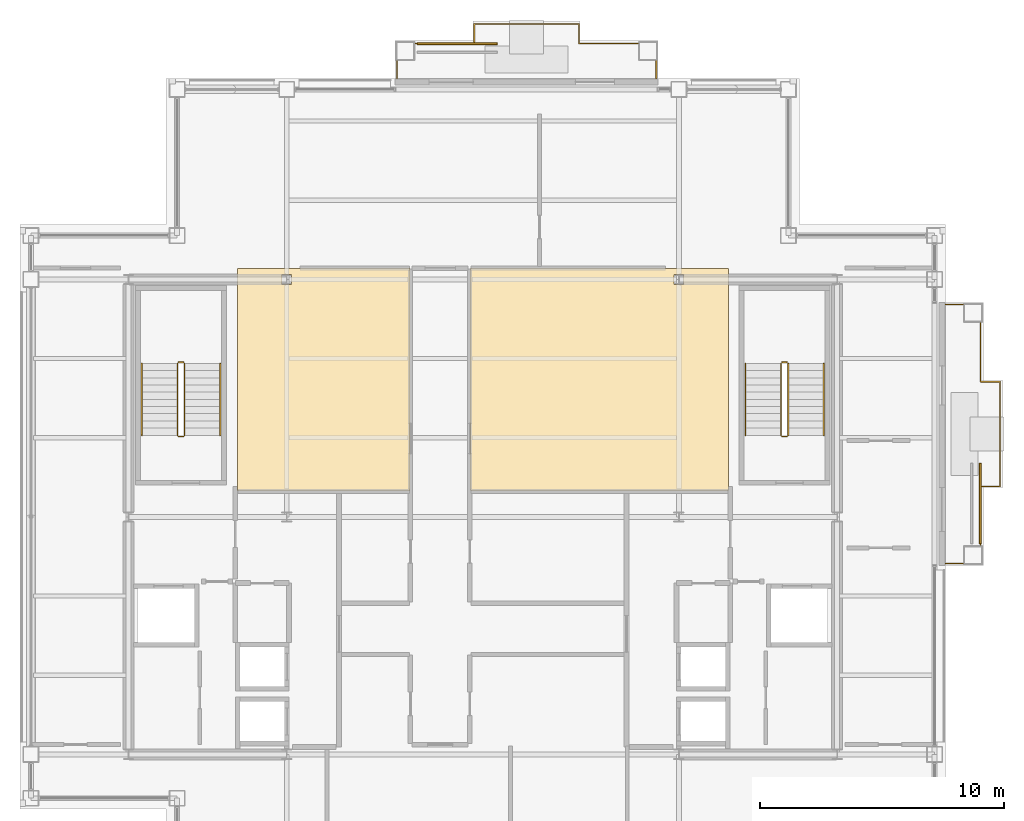
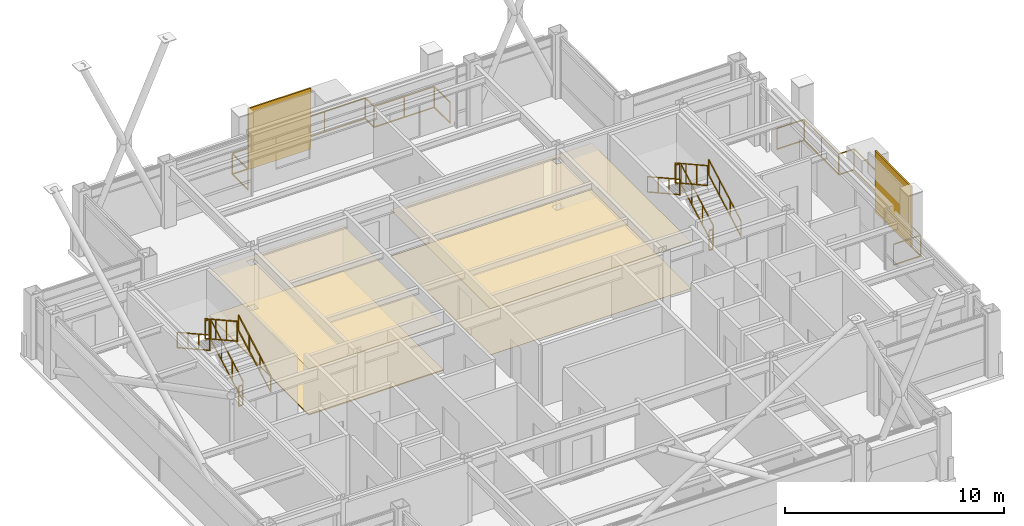
# One storey, part 29 of 30: 14 railings, 4 coverings, 2 shading devices.
"""IFC4 building model written with IfcOpenShell, lengths in metres."""

from ifc_helpers import new_model, si_unit, direction, frame, origin, origin_2d, place, context, subcontext, project, spatial, polyline, rectangle, outline, extrude, material, layer, layer_set, type_object, element, save


model = new_model("IFC4")

# Units and contexts
model_context = context("Model", 3, precision=1e-05, world=origin(), true_north=direction((0.0, 1.0)))
body_context = subcontext(model_context, "Body", "Model", "MODEL_VIEW")
ifc_project = project(units=[si_unit("LENGTHUNIT", "METRE"), si_unit("AREAUNIT", "SQUARE_METRE"), si_unit("VOLUMEUNIT", "CUBIC_METRE"), si_unit("PLANEANGLEUNIT", "RADIAN"), si_unit("MASSUNIT", "GRAM", prefix="KILO")], contexts=[model_context])

# Site, building, storey
site_placement = place(None, origin())
site = spatial("IfcSite", under=ifc_project, at=site_placement, CompositionType="ELEMENT")
building_placement = place(site_placement, origin())
building = spatial("IfcBuilding", under=site, at=building_placement, Name="Brelmoor Portico Tower", CompositionType="ELEMENT")
storey_placement = place(building_placement, frame((0.0, 0.0, 236.39990234375)))
storey = spatial("IfcBuildingStorey", under=building, at=storey_placement, Name="L62", CompositionType="ELEMENT", Elevation=236.39990234375)

# Coverings
ifc_material_1 = material(Name="Powder-Coated Aluminium Acoustic Baffle Ceiling", Category="aluminium")
ifc_layer_1 = layer(ifc_material_1, 0.044921875)
ifc_layer_set_1 = layer_set([ifc_layer_1], Name="Powder-Coated Aluminium Acoustic Baffle Ceiling")
covering_type_1 = type_object("IfcCoveringType", Name="CV-CEIL-BAFFLE-45", PredefinedType="CEILING", material=ifc_layer_set_1)
covering_1_placement = place(storey_placement, frame((0.0, 0.0, 2.550048828125)))
element("IfcCovering", 1, at=covering_1_placement, inside=storey, type_object=covering_type_1, Name="L62 Acoustic Suspended Ceiling 02", PredefinedType="CEILING", context=body_context, shape_type="SweptSolid", body=[
    extrude(outline(polyline([(-0.510009765625, 10.18994140625), (7.60009765625, 10.18994140625), (7.60009765625, 10.199951171875), (8.5, 10.199951171875), (8.5, 10.18994140625), (10.080078125, 10.18994140625), (10.080078125, 1.090087890625), (-0.510009765625, 1.090087890625), (-0.510009765625, 10.18994140625)]), holes=[polyline([(8.25, 9.550048828125), (8.25, 9.949951171875), (7.85009765625, 9.949951171875), (7.85009765625, 9.550048828125), (8.25, 9.550048828125)])]), origin(), (0.0, 0.0, 1.0), 0.045166015625),
])
ifc_material_2 = material(Name="Micro-Perforated Aluminium Clip-In Ceiling", Category="aluminium")
ifc_layer_2 = layer(ifc_material_2, 0.031982421875)
ifc_layer_set_2 = layer_set([ifc_layer_2], Name="Micro-Perforated Aluminium Clip-In Ceiling")
covering_type_2 = type_object("IfcCoveringType", Name="CV-CEIL-METAL-32", PredefinedType="CEILING", material=ifc_layer_set_2)
covering_2_placement = place(storey_placement, frame((0.0, 0.0, 2.550048828125)))
element("IfcCovering", 2, at=covering_2_placement, inside=storey, type_object=covering_type_2, Name="L62 Acoustic Suspended Ceiling 01", PredefinedType="CEILING", context=body_context, shape_type="SweptSolid", body=[
    extrude(outline(polyline([(-10.080078125, 10.18994140625), (-8.5, 10.18994140625), (-8.5, 10.199951171875), (-7.60009765625, 10.199951171875), (-7.60009765625, 10.18994140625), (-2.989990234375, 10.18994140625), (-2.989990234375, 1.090087890625), (-10.080078125, 1.090087890625), (-10.080078125, 10.18994140625)]), holes=[polyline([(-7.85009765625, 9.550048828125), (-7.85009765625, 9.949951171875), (-8.25, 9.949951171875), (-8.25, 9.550048828125), (-7.85009765625, 9.550048828125)])]), origin(), (0.0, 0.0, 1.0), 0.031982421875),
])
ifc_material_3 = material(Name="Calcium-Sulphate Raised Access Floor Panel", Category="steel")
ifc_layer_3 = layer(ifc_material_3, 0.06005859375)
ifc_layer_set_3 = layer_set([ifc_layer_3], Name="Calcium-Sulphate Raised Access Floor Panel")
covering_type_3 = type_object("IfcCoveringType", Name="CV-FLR-ACCESS-60", PredefinedType="FLOORING", material=ifc_layer_set_3)
covering_3_placement = place(storey_placement, origin())
element("IfcCovering", 3, at=covering_3_placement, inside=storey, type_object=covering_type_3, Name="L62 Architectural Floor Finish 01", PredefinedType="FLOORING", context=body_context, shape_type="SweptSolid", body=[
    extrude(outline(polyline([(-10.080078125, 10.18994140625), (-8.5, 10.18994140625), (-8.5, 10.199951171875), (-7.60009765625, 10.199951171875), (-7.60009765625, 10.18994140625), (-2.989990234375, 10.18994140625), (-2.989990234375, 1.090087890625), (-10.080078125, 1.090087890625), (-10.080078125, 10.18994140625)]), holes=[polyline([(-7.85009765625, 9.550048828125), (-7.85009765625, 9.949951171875), (-8.25, 9.949951171875), (-8.25, 9.550048828125), (-7.85009765625, 9.550048828125)])]), origin(), (0.0, 0.0, 1.0), 0.06005859375),
])
ifc_material_4 = material(Name="Solution-Dyed Nylon Acoustic Carpet Tile", Category="textile")
ifc_layer_4 = layer(ifc_material_4, 0.013916015625)
ifc_layer_set_4 = layer_set([ifc_layer_4], Name="Solution-Dyed Nylon Acoustic Carpet Tile")
covering_type_4 = type_object("IfcCoveringType", Name="CV-FLR-CARPET-14", PredefinedType="FLOORING", material=ifc_layer_set_4)
covering_4_placement = place(storey_placement, origin())
element("IfcCovering", 4, at=covering_4_placement, inside=storey, type_object=covering_type_4, Name="L62 Architectural Floor Finish 02", PredefinedType="FLOORING", context=body_context, shape_type="SweptSolid", body=[
    extrude(outline(polyline([(-0.510009765625, 10.18994140625), (7.60009765625, 10.18994140625), (7.60009765625, 10.199951171875), (8.5, 10.199951171875), (8.5, 10.18994140625), (10.080078125, 10.18994140625), (10.080078125, 1.090087890625), (-0.510009765625, 1.090087890625), (-0.510009765625, 10.18994140625)]), holes=[polyline([(8.25, 9.550048828125), (8.25, 9.949951171875), (7.85009765625, 9.949951171875), (7.85009765625, 9.550048828125), (8.25, 9.550048828125)])]), origin(), (0.0, 0.0, 1.0), 0.01416015625),
])

# Railings
ifc_material_5 = material(Name="Perforated Pale Champagne Aluminium Fretwork Guard", Category="aluminium")
railing_type_1 = type_object("IfcRailingType", Name="RL-BALUSTRADE-1200", PredefinedType="BALUSTRADE", material=ifc_material_5)
railing_1_placement = place(storey_placement, frame((-3.52001953125, 18.0, 0.0)))
element("IfcRailing", 5, at=railing_1_placement, inside=storey, type_object=railing_type_1, Name="L62 Tree Balcony Fretwork Balustrade N", PredefinedType="BALUSTRADE", context=body_context, shape_type="SweptSolid", body=[
    extrude(rectangle(XDim=0.048095703125, YDim=0.048095703125, at=origin_2d()), frame((0.0, 0.0, 1.17578125), z_axis=(0.0, 1.0, 0.0), x_axis=(-1.0, 0.0, 0.0)), (0.0, 0.0, 1.0), 1.429931640625),
    extrude(rectangle(XDim=0.048095703125, YDim=0.048095703125, at=origin_2d()), frame((0.0, 0.0, 0.02392578125), z_axis=(0.0, 1.0, 0.0), x_axis=(-1.0, 0.0, 0.0)), (0.0, 0.0, 1.0), 1.429931640625),
    extrude(rectangle(XDim=0.048095703125, YDim=0.048095703125, at=origin_2d()), frame((0.0, 1.429931640625, 1.17578125), z_axis=(1.0, 0.0, 0.0), x_axis=(0.0, 1.0, 0.0)), (0.0, 0.0, 1.0), 3.169921875),
    extrude(rectangle(XDim=0.048095703125, YDim=0.048095703125, at=origin_2d()), frame((0.0, 1.429931640625, 0.02392578125), z_axis=(1.0, 0.0, 0.0), x_axis=(0.0, 1.0, 0.0)), (0.0, 0.0, 1.0), 3.169921875),
    extrude(rectangle(XDim=0.048095703125, YDim=0.048095703125, at=origin_2d()), frame((3.169921875, 1.429931640625, 1.17578125), z_axis=(0.0, 1.0, 0.0), x_axis=(-1.0, 0.0, 0.0)), (0.0, 0.0, 1.0), 0.800048828125),
    extrude(rectangle(XDim=0.048095703125, YDim=0.048095703125, at=origin_2d()), frame((3.169921875, 1.429931640625, 0.02392578125), z_axis=(0.0, 1.0, 0.0), x_axis=(-1.0, 0.0, 0.0)), (0.0, 0.0, 1.0), 0.800048828125),
    extrude(rectangle(XDim=0.048095703125, YDim=0.048095703125, at=origin_2d()), frame((3.169921875, 2.22998046875, 1.17578125), z_axis=(1.0, 0.0, 0.0), x_axis=(0.0, 1.0, 0.0)), (0.0, 0.0, 1.0), 4.300048828125),
    extrude(rectangle(XDim=0.048095703125, YDim=0.048095703125, at=origin_2d()), frame((3.169921875, 2.22998046875, 0.02392578125), z_axis=(1.0, 0.0, 0.0), x_axis=(0.0, 1.0, 0.0)), (0.0, 0.0, 1.0), 4.300048828125),
    extrude(rectangle(XDim=0.048095703125, YDim=0.048095703125, at=origin_2d()), frame((7.469970703125, 2.22998046875, 1.17578125), z_axis=(0.0, -1.0, 0.0), x_axis=(1.0, 0.0, 0.0)), (0.0, 0.0, 1.0), 0.800048828125),
    extrude(rectangle(XDim=0.048095703125, YDim=0.048095703125, at=origin_2d()), frame((7.469970703125, 2.22998046875, 0.02392578125), z_axis=(0.0, -1.0, 0.0), x_axis=(1.0, 0.0, 0.0)), (0.0, 0.0, 1.0), 0.800048828125),
    extrude(rectangle(XDim=0.048095703125, YDim=0.048095703125, at=origin_2d()), frame((7.469970703125, 1.429931640625, 1.17578125), z_axis=(1.0, 0.0, 0.0), x_axis=(0.0, 1.0, 0.0)), (0.0, 0.0, 1.0), 3.170166015625),
    extrude(rectangle(XDim=0.048095703125, YDim=0.048095703125, at=origin_2d()), frame((7.469970703125, 1.429931640625, 0.02392578125), z_axis=(1.0, 0.0, 0.0), x_axis=(0.0, 1.0, 0.0)), (0.0, 0.0, 1.0), 3.170166015625),
    extrude(rectangle(XDim=0.048095703125, YDim=0.048095703125, at=origin_2d()), frame((10.64013671875, 1.429931640625, 1.17578125), z_axis=(0.0, -1.0, 0.0), x_axis=(1.0, 0.0, 0.0)), (0.0, 0.0, 1.0), 1.429931640625),
    extrude(rectangle(XDim=0.048095703125, YDim=0.048095703125, at=origin_2d()), frame((10.64013671875, 1.429931640625, 0.02392578125), z_axis=(0.0, -1.0, 0.0), x_axis=(1.0, 0.0, 0.0)), (0.0, 0.0, 1.0), 1.429931640625),
    extrude(rectangle(XDim=0.0419921875, YDim=0.0419921875, at=origin_2d()), origin(), (0.0, 0.0, 1.0), 1.15185546875),
    extrude(rectangle(XDim=0.0419921875, YDim=0.0419921875, at=origin_2d()), frame((0.0, 1.429931640625, 0.0)), (0.0, 0.0, 1.0), 1.15185546875),
    extrude(rectangle(XDim=0.0419921875, YDim=0.0419921875, at=origin_2d()), frame((1.5849609375, 1.429931640625, 0.0)), (0.0, 0.0, 1.0), 1.15185546875),
    extrude(rectangle(XDim=0.0419921875, YDim=0.0419921875, at=origin_2d()), frame((3.169921875, 1.429931640625, 0.0)), (0.0, 0.0, 1.0), 1.15185546875),
    extrude(rectangle(XDim=0.0419921875, YDim=0.0419921875, at=origin_2d()), frame((3.169921875, 2.22998046875, 0.0)), (0.0, 0.0, 1.0), 1.15185546875),
    extrude(rectangle(XDim=0.0419921875, YDim=0.0419921875, at=origin_2d()), frame((5.31982421875, 2.22998046875, 0.0)), (0.0, 0.0, 1.0), 1.15185546875),
    extrude(rectangle(XDim=0.0419921875, YDim=0.0419921875, at=origin_2d()), frame((7.469970703125, 2.22998046875, 0.0)), (0.0, 0.0, 1.0), 1.15185546875),
    extrude(rectangle(XDim=0.0419921875, YDim=0.0419921875, at=origin_2d()), frame((7.469970703125, 1.429931640625, 0.0)), (0.0, 0.0, 1.0), 1.15185546875),
    extrude(rectangle(XDim=0.0419921875, YDim=0.0419921875, at=origin_2d()), frame((9.05517578125, 1.429931640625, 0.0)), (0.0, 0.0, 1.0), 1.15185546875),
    extrude(rectangle(XDim=0.0419921875, YDim=0.0419921875, at=origin_2d()), frame((10.64013671875, 1.429931640625, 0.0)), (0.0, 0.0, 1.0), 1.15185546875),
    extrude(rectangle(XDim=0.0419921875, YDim=0.0419921875, at=origin_2d()), frame((10.64013671875, 0.0, 0.0)), (0.0, 0.0, 1.0), 1.15185546875),
])
railing_2_placement = place(storey_placement, frame((19.0, -1.919921875, 0.0)))
element("IfcRailing", 6, at=railing_2_placement, inside=storey, type_object=railing_type_1, Name="L62 Tree Balcony Fretwork Balustrade E", PredefinedType="BALUSTRADE", context=body_context, shape_type="SweptSolid", body=[
    extrude(rectangle(XDim=0.048095703125, YDim=0.048095703125, at=origin_2d()), frame((0.0, 0.0, 1.17578125), z_axis=(1.0, 0.0, 0.0), x_axis=(0.0, 1.0, 0.0)), (0.0, 0.0, 1.0), 1.429931640625),
    extrude(rectangle(XDim=0.048095703125, YDim=0.048095703125, at=origin_2d()), frame((0.0, 0.0, 0.02392578125), z_axis=(1.0, 0.0, 0.0), x_axis=(0.0, 1.0, 0.0)), (0.0, 0.0, 1.0), 1.429931640625),
    extrude(rectangle(XDim=0.048095703125, YDim=0.048095703125, at=origin_2d()), frame((1.429931640625, 0.0, 1.17578125), z_axis=(0.0, 1.0, 0.0), x_axis=(-1.0, 0.0, 0.0)), (0.0, 0.0, 1.0), 3.169921875),
    extrude(rectangle(XDim=0.048095703125, YDim=0.048095703125, at=origin_2d()), frame((1.429931640625, 0.0, 0.02392578125), z_axis=(0.0, 1.0, 0.0), x_axis=(-1.0, 0.0, 0.0)), (0.0, 0.0, 1.0), 3.169921875),
    extrude(rectangle(XDim=0.048095703125, YDim=0.048095703125, at=origin_2d()), frame((1.429931640625, 3.169921875, 1.17578125), z_axis=(1.0, 0.0, 0.0), x_axis=(0.0, 1.0, 0.0)), (0.0, 0.0, 1.0), 0.800048828125),
    extrude(rectangle(XDim=0.048095703125, YDim=0.048095703125, at=origin_2d()), frame((1.429931640625, 3.169921875, 0.02392578125), z_axis=(1.0, 0.0, 0.0), x_axis=(0.0, 1.0, 0.0)), (0.0, 0.0, 1.0), 0.800048828125),
    extrude(rectangle(XDim=0.048095703125, YDim=0.048095703125, at=origin_2d()), frame((2.22998046875, 3.169921875, 1.17578125), z_axis=(0.0, 1.0, 0.0), x_axis=(-1.0, 0.0, 0.0)), (0.0, 0.0, 1.0), 4.300048828125),
    extrude(rectangle(XDim=0.048095703125, YDim=0.048095703125, at=origin_2d()), frame((2.22998046875, 3.169921875, 0.02392578125), z_axis=(0.0, 1.0, 0.0), x_axis=(-1.0, 0.0, 0.0)), (0.0, 0.0, 1.0), 4.300048828125),
    extrude(rectangle(XDim=0.048095703125, YDim=0.048095703125, at=origin_2d()), frame((2.22998046875, 7.469970703125, 1.17578125), z_axis=(-1.0, 0.0, 0.0), x_axis=(0.0, -1.0, 0.0)), (0.0, 0.0, 1.0), 0.800048828125),
    extrude(rectangle(XDim=0.048095703125, YDim=0.048095703125, at=origin_2d()), frame((2.22998046875, 7.469970703125, 0.02392578125), z_axis=(-1.0, 0.0, 0.0), x_axis=(0.0, -1.0, 0.0)), (0.0, 0.0, 1.0), 0.800048828125),
    extrude(rectangle(XDim=0.048095703125, YDim=0.048095703125, at=origin_2d()), frame((1.429931640625, 7.469970703125, 1.17578125), z_axis=(0.0, 1.0, 0.0), x_axis=(-1.0, 0.0, 0.0)), (0.0, 0.0, 1.0), 3.169921875),
    extrude(rectangle(XDim=0.048095703125, YDim=0.048095703125, at=origin_2d()), frame((1.429931640625, 7.469970703125, 0.02392578125), z_axis=(0.0, 1.0, 0.0), x_axis=(-1.0, 0.0, 0.0)), (0.0, 0.0, 1.0), 3.169921875),
    extrude(rectangle(XDim=0.048095703125, YDim=0.048095703125, at=origin_2d()), frame((1.429931640625, 10.639892578125, 1.17578125), z_axis=(-1.0, 0.0, 0.0), x_axis=(0.0, -1.0, 0.0)), (0.0, 0.0, 1.0), 1.429931640625),
    extrude(rectangle(XDim=0.048095703125, YDim=0.048095703125, at=origin_2d()), frame((1.429931640625, 10.639892578125, 0.02392578125), z_axis=(-1.0, 0.0, 0.0), x_axis=(0.0, -1.0, 0.0)), (0.0, 0.0, 1.0), 1.429931640625),
    extrude(rectangle(XDim=0.0419921875, YDim=0.0419921875, at=origin_2d()), origin(), (0.0, 0.0, 1.0), 1.15185546875),
    extrude(rectangle(XDim=0.0419921875, YDim=0.0419921875, at=origin_2d()), frame((1.429931640625, 0.0, 0.0)), (0.0, 0.0, 1.0), 1.15185546875),
    extrude(rectangle(XDim=0.0419921875, YDim=0.0419921875, at=origin_2d()), frame((1.429931640625, 1.5849609375, 0.0)), (0.0, 0.0, 1.0), 1.15185546875),
    extrude(rectangle(XDim=0.0419921875, YDim=0.0419921875, at=origin_2d()), frame((1.429931640625, 3.169921875, 0.0)), (0.0, 0.0, 1.0), 1.15185546875),
    extrude(rectangle(XDim=0.0419921875, YDim=0.0419921875, at=origin_2d()), frame((2.22998046875, 3.169921875, 0.0)), (0.0, 0.0, 1.0), 1.15185546875),
    extrude(rectangle(XDim=0.0419921875, YDim=0.0419921875, at=origin_2d()), frame((2.22998046875, 5.31982421875, 0.0)), (0.0, 0.0, 1.0), 1.15185546875),
    extrude(rectangle(XDim=0.0419921875, YDim=0.0419921875, at=origin_2d()), frame((2.22998046875, 7.469970703125, 0.0)), (0.0, 0.0, 1.0), 1.15185546875),
    extrude(rectangle(XDim=0.0419921875, YDim=0.0419921875, at=origin_2d()), frame((1.429931640625, 7.469970703125, 0.0)), (0.0, 0.0, 1.0), 1.15185546875),
    extrude(rectangle(XDim=0.0419921875, YDim=0.0419921875, at=origin_2d()), frame((1.429931640625, 9.054931640625, 0.0)), (0.0, 0.0, 1.0), 1.15185546875),
    extrude(rectangle(XDim=0.0419921875, YDim=0.0419921875, at=origin_2d()), frame((1.429931640625, 10.639892578125, 0.0)), (0.0, 0.0, 1.0), 1.15185546875),
    extrude(rectangle(XDim=0.0419921875, YDim=0.0419921875, at=origin_2d()), frame((0.0, 10.639892578125, 0.0)), (0.0, 0.0, 1.0), 1.15185546875),
])
ifc_material_6 = material(Name="Painted Tubular Steel Q235B", Category="steel")
railing_type_2 = type_object("IfcRailingType", Name="RL-STAIR-GUARD", PredefinedType="GUARDRAIL", material=ifc_material_6)
railing_3_placement = place(storey_placement, frame((-12.239990234375, 3.35009765625, 0.163818359375)))
element("IfcRailing", 7, at=railing_3_placement, inside=storey, type_object=railing_type_2, Name="L62 ST-W stair guard 1", PredefinedType="GUARDRAIL", context=body_context, shape_type="SweptSolid", body=[
    extrude(rectangle(XDim=0.048095703125, YDim=0.048095703125, at=origin_2d()), frame((0.0, 0.0, 1.1259765625), z_axis=(0.0, 0.87448821551, 0.485046761595), x_axis=(-1.0, 0.0, 0.0)), (0.0, 0.0, 1.0), 3.373291015625),
    extrude(rectangle(XDim=0.048095703125, YDim=0.048095703125, at=origin_2d()), frame((0.0, 0.0, 0.02392578125), z_axis=(0.0, 0.87448821551, 0.485046761595), x_axis=(-1.0, 0.0, 0.0)), (0.0, 0.0, 1.0), 3.373291015625),
    extrude(rectangle(XDim=0.0419921875, YDim=0.0419921875, at=origin_2d()), origin(), (0.0, 0.0, 1.0), 1.101806640625),
    extrude(rectangle(XDim=0.0419921875, YDim=0.0419921875, at=origin_2d()), frame((0.0, 0.9833984375, 0.54541015625)), (0.0, 0.0, 1.0), 1.101806640625),
    extrude(rectangle(XDim=0.0419921875, YDim=0.0419921875, at=origin_2d()), frame((0.0, 1.966552734375, 1.0908203125)), (0.0, 0.0, 1.0), 1.101806640625),
    extrude(rectangle(XDim=0.0419921875, YDim=0.0419921875, at=origin_2d()), frame((0.0, 2.949951171875, 1.63623046875)), (0.0, 0.0, 1.0), 1.101806640625),
])
railing_4_placement = place(storey_placement, frame((-12.2900390625, 6.35009765625, 1.800048828125)))
element("IfcRailing", 8, at=railing_4_placement, inside=storey, type_object=railing_type_2, Name="L62 ST-W stair guard 2", PredefinedType="GUARDRAIL", context=body_context, shape_type="SweptSolid", body=[
    extrude(rectangle(XDim=0.048095703125, YDim=0.048095703125, at=origin_2d()), frame((0.0, 0.0, 1.1259765625), z_axis=(-1.0, 0.0, 0.0), x_axis=(0.0, -1.0, 0.0)), (0.0, 0.0, 1.0), 0.199951171875),
    extrude(rectangle(XDim=0.048095703125, YDim=0.048095703125, at=origin_2d()), frame((0.0, 0.0, 0.02392578125), z_axis=(-1.0, 0.0, 0.0), x_axis=(0.0, -1.0, 0.0)), (0.0, 0.0, 1.0), 0.199951171875),
    extrude(rectangle(XDim=0.0419921875, YDim=0.0419921875, at=origin_2d()), origin(), (0.0, 0.0, 1.0), 1.101806640625),
    extrude(rectangle(XDim=0.0419921875, YDim=0.0419921875, at=origin_2d()), frame((-0.199951171875, 0.0, 0.0)), (0.0, 0.0, 1.0), 1.101806640625),
])
railing_5_placement = place(storey_placement, frame((-12.5400390625, 6.300048828125, 1.963623046875)))
element("IfcRailing", 9, at=railing_5_placement, inside=storey, type_object=railing_type_2, Name="L62 ST-W stair guard 3", PredefinedType="GUARDRAIL", context=body_context, shape_type="SweptSolid", body=[
    extrude(rectangle(XDim=0.048095703125, YDim=0.048095703125, at=origin_2d()), frame((0.0, 0.0, 1.1259765625), z_axis=(0.0, -0.874457516365, 0.485102104791), x_axis=(1.0, 0.0, 0.0)), (0.0, 0.0, 1.0), 3.37353515625),
    extrude(rectangle(XDim=0.048095703125, YDim=0.048095703125, at=origin_2d()), frame((0.0, 0.0, 0.02392578125), z_axis=(0.0, -0.874457516365, 0.485102104791), x_axis=(1.0, 0.0, 0.0)), (0.0, 0.0, 1.0), 3.37353515625),
    extrude(rectangle(XDim=0.0419921875, YDim=0.0419921875, at=origin_2d()), origin(), (0.0, 0.0, 1.0), 1.101806640625),
    extrude(rectangle(XDim=0.0419921875, YDim=0.0419921875, at=origin_2d()), frame((0.0, -0.9833984375, 0.54541015625)), (0.0, 0.0, 1.0), 1.101806640625),
    extrude(rectangle(XDim=0.0419921875, YDim=0.0419921875, at=origin_2d()), frame((0.0, -1.966552734375, 1.091064453125)), (0.0, 0.0, 1.0), 1.101806640625),
    extrude(rectangle(XDim=0.0419921875, YDim=0.0419921875, at=origin_2d()), frame((0.0, -2.949951171875, 1.636474609375)), (0.0, 0.0, 1.0), 1.101806640625),
])
railing_6_placement = place(storey_placement, frame((-12.2900390625, 3.300048828125, 0.0)))
element("IfcRailing", 10, at=railing_6_placement, inside=storey, type_object=railing_type_2, Name="L62 ST-W stair guard 4", PredefinedType="GUARDRAIL", context=body_context, shape_type="SweptSolid", body=[
    extrude(rectangle(XDim=0.048095703125, YDim=0.048095703125, at=origin_2d()), frame((0.0, 0.0, 1.1259765625), z_axis=(-1.0, 0.0, 0.0), x_axis=(0.0, -1.0, 0.0)), (0.0, 0.0, 1.0), 0.199951171875),
    extrude(rectangle(XDim=0.048095703125, YDim=0.048095703125, at=origin_2d()), frame((0.0, 0.0, 0.02392578125), z_axis=(-1.0, 0.0, 0.0), x_axis=(0.0, -1.0, 0.0)), (0.0, 0.0, 1.0), 0.199951171875),
    extrude(rectangle(XDim=0.0419921875, YDim=0.0419921875, at=origin_2d()), origin(), (0.0, 0.0, 1.0), 1.101806640625),
    extrude(rectangle(XDim=0.0419921875, YDim=0.0419921875, at=origin_2d()), frame((-0.199951171875, 0.0, 0.0)), (0.0, 0.0, 1.0), 1.101806640625),
])
railing_7_placement = place(storey_placement, frame((12.5400390625, 3.35009765625, 0.163818359375)))
element("IfcRailing", 11, at=railing_7_placement, inside=storey, type_object=railing_type_2, Name="L62 ST-E stair guard 1", PredefinedType="GUARDRAIL", context=body_context, shape_type="SweptSolid", body=[
    extrude(rectangle(XDim=0.048095703125, YDim=0.048095703125, at=origin_2d()), frame((0.0, 0.0, 1.1259765625), z_axis=(0.0, 0.87448821551, 0.485046761595), x_axis=(-1.0, 0.0, 0.0)), (0.0, 0.0, 1.0), 3.373291015625),
    extrude(rectangle(XDim=0.048095703125, YDim=0.048095703125, at=origin_2d()), frame((0.0, 0.0, 0.02392578125), z_axis=(0.0, 0.87448821551, 0.485046761595), x_axis=(-1.0, 0.0, 0.0)), (0.0, 0.0, 1.0), 3.373291015625),
    extrude(rectangle(XDim=0.0419921875, YDim=0.0419921875, at=origin_2d()), origin(), (0.0, 0.0, 1.0), 1.101806640625),
    extrude(rectangle(XDim=0.0419921875, YDim=0.0419921875, at=origin_2d()), frame((0.0, 0.9833984375, 0.54541015625)), (0.0, 0.0, 1.0), 1.101806640625),
    extrude(rectangle(XDim=0.0419921875, YDim=0.0419921875, at=origin_2d()), frame((0.0, 1.966552734375, 1.0908203125)), (0.0, 0.0, 1.0), 1.101806640625),
    extrude(rectangle(XDim=0.0419921875, YDim=0.0419921875, at=origin_2d()), frame((0.0, 2.949951171875, 1.63623046875)), (0.0, 0.0, 1.0), 1.101806640625),
])
railing_8_placement = place(storey_placement, frame((12.489990234375, 6.35009765625, 1.800048828125)))
element("IfcRailing", 12, at=railing_8_placement, inside=storey, type_object=railing_type_2, Name="L62 ST-E stair guard 2", PredefinedType="GUARDRAIL", context=body_context, shape_type="SweptSolid", body=[
    extrude(rectangle(XDim=0.048095703125, YDim=0.048095703125, at=origin_2d()), frame((0.0, 0.0, 1.1259765625), z_axis=(-1.0, 0.0, 0.0), x_axis=(0.0, -1.0, 0.0)), (0.0, 0.0, 1.0), 0.199951171875),
    extrude(rectangle(XDim=0.048095703125, YDim=0.048095703125, at=origin_2d()), frame((0.0, 0.0, 0.02392578125), z_axis=(-1.0, 0.0, 0.0), x_axis=(0.0, -1.0, 0.0)), (0.0, 0.0, 1.0), 0.199951171875),
    extrude(rectangle(XDim=0.0419921875, YDim=0.0419921875, at=origin_2d()), origin(), (0.0, 0.0, 1.0), 1.101806640625),
    extrude(rectangle(XDim=0.0419921875, YDim=0.0419921875, at=origin_2d()), frame((-0.199951171875, 0.0, 0.0)), (0.0, 0.0, 1.0), 1.101806640625),
])
railing_9_placement = place(storey_placement, frame((12.239990234375, 6.300048828125, 1.963623046875)))
element("IfcRailing", 13, at=railing_9_placement, inside=storey, type_object=railing_type_2, Name="L62 ST-E stair guard 3", PredefinedType="GUARDRAIL", context=body_context, shape_type="SweptSolid", body=[
    extrude(rectangle(XDim=0.048095703125, YDim=0.048095703125, at=origin_2d()), frame((0.0, 0.0, 1.1259765625), z_axis=(0.0, -0.874457516365, 0.485102104791), x_axis=(1.0, 0.0, 0.0)), (0.0, 0.0, 1.0), 3.37353515625),
    extrude(rectangle(XDim=0.048095703125, YDim=0.048095703125, at=origin_2d()), frame((0.0, 0.0, 0.02392578125), z_axis=(0.0, -0.874457516365, 0.485102104791), x_axis=(1.0, 0.0, 0.0)), (0.0, 0.0, 1.0), 3.37353515625),
    extrude(rectangle(XDim=0.0419921875, YDim=0.0419921875, at=origin_2d()), origin(), (0.0, 0.0, 1.0), 1.101806640625),
    extrude(rectangle(XDim=0.0419921875, YDim=0.0419921875, at=origin_2d()), frame((0.0, -0.9833984375, 0.54541015625)), (0.0, 0.0, 1.0), 1.101806640625),
    extrude(rectangle(XDim=0.0419921875, YDim=0.0419921875, at=origin_2d()), frame((0.0, -1.966552734375, 1.091064453125)), (0.0, 0.0, 1.0), 1.101806640625),
    extrude(rectangle(XDim=0.0419921875, YDim=0.0419921875, at=origin_2d()), frame((0.0, -2.949951171875, 1.636474609375)), (0.0, 0.0, 1.0), 1.101806640625),
])
railing_10_placement = place(storey_placement, frame((12.489990234375, 3.300048828125, 0.0)))
element("IfcRailing", 14, at=railing_10_placement, inside=storey, type_object=railing_type_2, Name="L62 ST-E stair guard 4", PredefinedType="GUARDRAIL", context=body_context, shape_type="SweptSolid", body=[
    extrude(rectangle(XDim=0.048095703125, YDim=0.048095703125, at=origin_2d()), frame((0.0, 0.0, 1.1259765625), z_axis=(-1.0, 0.0, 0.0), x_axis=(0.0, -1.0, 0.0)), (0.0, 0.0, 1.0), 0.199951171875),
    extrude(rectangle(XDim=0.048095703125, YDim=0.048095703125, at=origin_2d()), frame((0.0, 0.0, 0.02392578125), z_axis=(-1.0, 0.0, 0.0), x_axis=(0.0, -1.0, 0.0)), (0.0, 0.0, 1.0), 0.199951171875),
    extrude(rectangle(XDim=0.0419921875, YDim=0.0419921875, at=origin_2d()), origin(), (0.0, 0.0, 1.0), 1.101806640625),
    extrude(rectangle(XDim=0.0419921875, YDim=0.0419921875, at=origin_2d()), frame((-0.199951171875, 0.0, 0.0)), (0.0, 0.0, 1.0), 1.101806640625),
])
ifc_material_7 = material(Name="Brushed Stainless Steel 304", Category="steel")
railing_type_3 = type_object("IfcRailingType", Name="RL-STAIR-HANDRAIL", PredefinedType="HANDRAIL", material=ifc_material_7)
railing_11_placement = place(storey_placement, frame((-10.780029296875, 3.35009765625, 0.163818359375)))
element("IfcRailing", 15, at=railing_11_placement, inside=storey, type_object=railing_type_3, Name="L62 ST-W stair handrail 1", PredefinedType="HANDRAIL", context=body_context, shape_type="SweptSolid", body=[
    extrude(rectangle(XDim=0.048095703125, YDim=0.048095703125, at=origin_2d()), frame((0.0, 0.0, 0.8759765625), z_axis=(0.0, 0.87448821551, 0.485046761595), x_axis=(-1.0, 0.0, 0.0)), (0.0, 0.0, 1.0), 3.373291015625),
    extrude(rectangle(XDim=0.048095703125, YDim=0.048095703125, at=origin_2d()), frame((0.0, 0.0, 0.02392578125), z_axis=(0.0, 0.87448821551, 0.485046761595), x_axis=(-1.0, 0.0, 0.0)), (0.0, 0.0, 1.0), 3.373291015625),
    extrude(rectangle(XDim=0.0419921875, YDim=0.0419921875, at=origin_2d()), origin(), (0.0, 0.0, 1.0), 0.851806640625),
    extrude(rectangle(XDim=0.0419921875, YDim=0.0419921875, at=origin_2d()), frame((0.0, 0.9833984375, 0.54541015625)), (0.0, 0.0, 1.0), 0.851806640625),
    extrude(rectangle(XDim=0.0419921875, YDim=0.0419921875, at=origin_2d()), frame((0.0, 1.966552734375, 1.0908203125)), (0.0, 0.0, 1.0), 0.851806640625),
    extrude(rectangle(XDim=0.0419921875, YDim=0.0419921875, at=origin_2d()), frame((0.0, 2.949951171875, 1.63623046875)), (0.0, 0.0, 1.0), 0.851806640625),
])
railing_12_placement = place(storey_placement, frame((-14.0, 6.300048828125, 1.963623046875)))
element("IfcRailing", 16, at=railing_12_placement, inside=storey, type_object=railing_type_3, Name="L62 ST-W stair handrail 2", PredefinedType="HANDRAIL", context=body_context, shape_type="SweptSolid", body=[
    extrude(rectangle(XDim=0.048095703125, YDim=0.048095703125, at=origin_2d()), frame((0.0, 0.0, 0.8759765625), z_axis=(0.0, -0.874457516365, 0.485102104791), x_axis=(1.0, 0.0, 0.0)), (0.0, 0.0, 1.0), 3.37353515625),
    extrude(rectangle(XDim=0.048095703125, YDim=0.048095703125, at=origin_2d()), frame((0.0, 0.0, 0.02392578125), z_axis=(0.0, -0.874457516365, 0.485102104791), x_axis=(1.0, 0.0, 0.0)), (0.0, 0.0, 1.0), 3.37353515625),
    extrude(rectangle(XDim=0.0419921875, YDim=0.0419921875, at=origin_2d()), origin(), (0.0, 0.0, 1.0), 0.851806640625),
    extrude(rectangle(XDim=0.0419921875, YDim=0.0419921875, at=origin_2d()), frame((0.0, -0.9833984375, 0.54541015625)), (0.0, 0.0, 1.0), 0.851806640625),
    extrude(rectangle(XDim=0.0419921875, YDim=0.0419921875, at=origin_2d()), frame((0.0, -1.966552734375, 1.091064453125)), (0.0, 0.0, 1.0), 0.851806640625),
    extrude(rectangle(XDim=0.0419921875, YDim=0.0419921875, at=origin_2d()), frame((0.0, -2.949951171875, 1.636474609375)), (0.0, 0.0, 1.0), 0.851806640625),
])
railing_13_placement = place(storey_placement, frame((14.0, 3.35009765625, 0.163818359375)))
element("IfcRailing", 17, at=railing_13_placement, inside=storey, type_object=railing_type_3, Name="L62 ST-E stair handrail 1", PredefinedType="HANDRAIL", context=body_context, shape_type="SweptSolid", body=[
    extrude(rectangle(XDim=0.048095703125, YDim=0.048095703125, at=origin_2d()), frame((0.0, 0.0, 0.8759765625), z_axis=(0.0, 0.87448821551, 0.485046761595), x_axis=(-1.0, 0.0, 0.0)), (0.0, 0.0, 1.0), 3.373291015625),
    extrude(rectangle(XDim=0.048095703125, YDim=0.048095703125, at=origin_2d()), frame((0.0, 0.0, 0.02392578125), z_axis=(0.0, 0.87448821551, 0.485046761595), x_axis=(-1.0, 0.0, 0.0)), (0.0, 0.0, 1.0), 3.373291015625),
    extrude(rectangle(XDim=0.0419921875, YDim=0.0419921875, at=origin_2d()), origin(), (0.0, 0.0, 1.0), 0.851806640625),
    extrude(rectangle(XDim=0.0419921875, YDim=0.0419921875, at=origin_2d()), frame((0.0, 0.9833984375, 0.54541015625)), (0.0, 0.0, 1.0), 0.851806640625),
    extrude(rectangle(XDim=0.0419921875, YDim=0.0419921875, at=origin_2d()), frame((0.0, 1.966552734375, 1.0908203125)), (0.0, 0.0, 1.0), 0.851806640625),
    extrude(rectangle(XDim=0.0419921875, YDim=0.0419921875, at=origin_2d()), frame((0.0, 2.949951171875, 1.63623046875)), (0.0, 0.0, 1.0), 0.851806640625),
])
railing_14_placement = place(storey_placement, frame((10.780029296875, 6.300048828125, 1.963623046875)))
element("IfcRailing", 18, at=railing_14_placement, inside=storey, type_object=railing_type_3, Name="L62 ST-E stair handrail 2", PredefinedType="HANDRAIL", context=body_context, shape_type="SweptSolid", body=[
    extrude(rectangle(XDim=0.048095703125, YDim=0.048095703125, at=origin_2d()), frame((0.0, 0.0, 0.8759765625), z_axis=(0.0, -0.874457516365, 0.485102104791), x_axis=(1.0, 0.0, 0.0)), (0.0, 0.0, 1.0), 3.37353515625),
    extrude(rectangle(XDim=0.048095703125, YDim=0.048095703125, at=origin_2d()), frame((0.0, 0.0, 0.02392578125), z_axis=(0.0, -0.874457516365, 0.485102104791), x_axis=(1.0, 0.0, 0.0)), (0.0, 0.0, 1.0), 3.37353515625),
    extrude(rectangle(XDim=0.0419921875, YDim=0.0419921875, at=origin_2d()), origin(), (0.0, 0.0, 1.0), 0.851806640625),
    extrude(rectangle(XDim=0.0419921875, YDim=0.0419921875, at=origin_2d()), frame((0.0, -0.9833984375, 0.54541015625)), (0.0, 0.0, 1.0), 0.851806640625),
    extrude(rectangle(XDim=0.0419921875, YDim=0.0419921875, at=origin_2d()), frame((0.0, -1.966552734375, 1.091064453125)), (0.0, 0.0, 1.0), 0.851806640625),
    extrude(rectangle(XDim=0.0419921875, YDim=0.0419921875, at=origin_2d()), frame((0.0, -2.949951171875, 1.636474609375)), (0.0, 0.0, 1.0), 0.851806640625),
])

# Shading devices
ifc_material_8 = material(Name="Powder-Coated Aluminium Shuttered Jalousie", Category="aluminium")
ifc_layer_5 = layer(ifc_material_8, 0.080078125)
ifc_layer_set_5 = layer_set([ifc_layer_5], Name="Powder-Coated Aluminium Shuttered Jalousie")
shading_device_type = type_object("IfcShadingDeviceType", Name="SD-JALOUSIE-LOGGIA", PredefinedType="JALOUSIE", material=ifc_layer_set_5)
for number, where, z_axis, x_axis, name in (
    (19, (-1.050048828125, 19.429931640625, 0.000244140625), (0.0, 0.0, 1.0), (1.0, 0.0, 0.0), "L62 Loggia Shuttered Jalousie N"),
    (20, (20.429931640625, 0.550048828125, 0.000244140625), (0.0, 0.0, 1.0), (0.0, 1.0, 0.0), "L62 Loggia Shuttered Jalousie E"),
):
    element("IfcShadingDevice", number, at=place(storey_placement, frame(where, z_axis=z_axis, x_axis=x_axis)), inside=storey, type_object=shading_device_type, Name=name, PredefinedType="JALOUSIE", context=body_context, shape_type="SweptSolid", body=[
        extrude(rectangle(XDim=3.300048828125, YDim=0.080078125, at=origin_2d()), origin(), (0.0, 0.0, 1.0), 3.39990234375),
    ])

save(model, "model.ifc")
